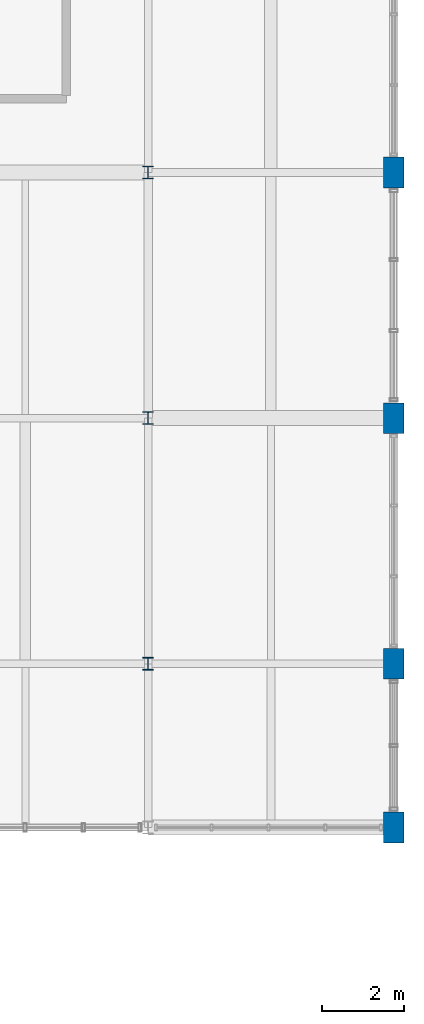
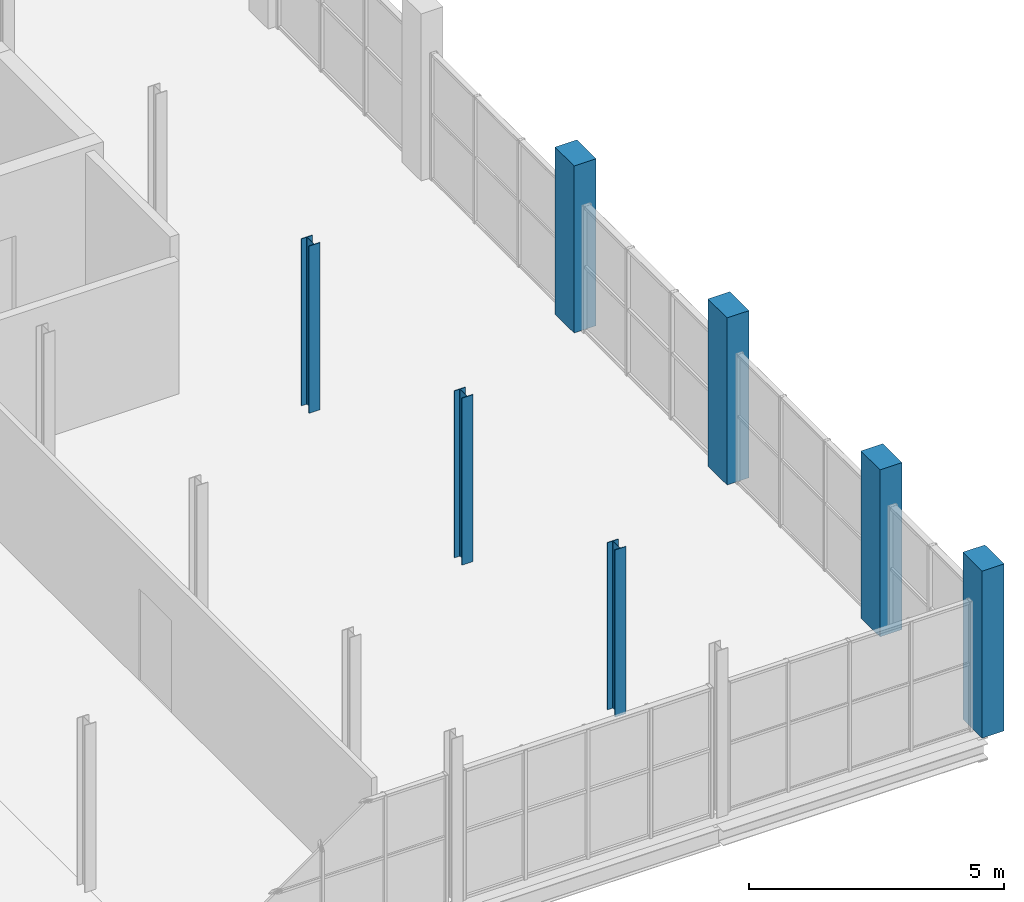
# One storey, part 14 of 96: 7 columns.
"""IFC4 building model written with IfcOpenShell, lengths in metres."""

from ifc_helpers import new_model, si_unit, direction, frame, origin, origin_2d, place, context, subcontext, project, spatial, rectangle, i_section, extrude, material, material_profile, profile_set, type_object, element, save


model = new_model("IFC4")

# Units and contexts
model_context = context("Model", 3, precision=1e-05, world=origin(), true_north=direction((0.0, 1.0)))
body_context = subcontext(model_context, "Body", "Model", "MODEL_VIEW")
ifc_project = project(units=[si_unit("LENGTHUNIT", "METRE"), si_unit("AREAUNIT", "SQUARE_METRE"), si_unit("VOLUMEUNIT", "CUBIC_METRE"), si_unit("PLANEANGLEUNIT", "RADIAN"), si_unit("MASSUNIT", "GRAM", prefix="KILO")], contexts=[model_context])

# Site, building, storey
site_placement = place(None, origin())
site = spatial("IfcSite", under=ifc_project, at=site_placement, CompositionType="ELEMENT")
building_placement = place(site_placement, origin())
building = spatial("IfcBuilding", under=site, at=building_placement, Name="Verrall Gate Interchange", CompositionType="ELEMENT")
storey_placement = place(building_placement, frame((0.0, 0.0, 11.39990234375)))
storey = spatial("IfcBuildingStorey", under=building, at=storey_placement, Name="L03", CompositionType="ELEMENT", Elevation=11.39990234375)

# Columns
ifc_material_1 = material(Name="Concrete CSA A23.1 40 MPa (Class C-1)", Category="concrete")
ifc_material_profile_1 = material_profile(ifc_material_1, rectangle(XDim=0.5, YDim=0.75, at=origin_2d()), Name="RC500x750")
ifc_profile_set_1 = profile_set([ifc_material_profile_1], Name="Concrete CSA A23.1 40 MPa (Class C-1)")
column_type_1 = type_object("IfcColumnType", Name="C-05 Pilaster RC500x750", PredefinedType="PILASTER", material=ifc_profile_set_1)
for number, where, z_axis, x_axis, name in (
    (1, (168.0, 12.0, 0.0), (0.0, 0.0, 1.0), (1.0, 0.0, 0.0), "L03 Column COL-L03-1472 (C-05)"),
    (2, (168.0, 16.0, 0.0), (0.0, 0.0, 1.0), (1.0, 0.0, 0.0), "L03 Column COL-L03-1477 (C-05)"),
    (3, (168.0, 22.0, 0.0), (0.0, 0.0, 1.0), (1.0, 0.0, 0.0), "L03 Column COL-L03-1482 (C-05)"),
    (4, (168.0, 28.0, 0.0), (0.0, 0.0, 1.0), (1.0, 0.0, 0.0), "L03 Column COL-L03-1487 (C-05)"),
):
    element("IfcColumn", number, at=place(storey_placement, frame(where, z_axis=z_axis, x_axis=x_axis)), inside=storey, type_object=column_type_1, Name=name, PredefinedType="PILASTER", context=body_context, shape_type="SweptSolid", body=[
        extrude(rectangle(XDim=0.5, YDim=0.75, at=origin_2d()), origin(), (0.0, 0.0, 1.0), 4.0),
    ])
ifc_material_2 = material(Name="Structural Steel CSA G40.21 350W", Category="steel")
ifc_material_profile_2 = material_profile(ifc_material_2, i_section(OverallWidth=0.25390625, OverallDepth=0.305908203125, WebThickness=0.0087890625, FlangeThickness=0.0146484375, FilletRadius=0.012939453125, at=origin_2d()), Name="W310x79")
ifc_profile_set_2 = profile_set([ifc_material_profile_2], Name="Structural Steel CSA G40.21 350W")
column_type_2 = type_object("IfcColumnType", Name="C-10 Column W310x79", PredefinedType="COLUMN", material=ifc_profile_set_2)
for number, where, z_axis, x_axis, name in (
    (5, (162.0, 16.0, 0.0), (0.0, 0.0, 1.0), (1.0, 0.0, 0.0), "L03 Column COL-L03-1434 (C-10)"),
    (6, (162.0, 22.0, 0.0), (0.0, 0.0, 1.0), (1.0, 0.0, 0.0), "L03 Column COL-L03-1439 (C-10)"),
    (7, (162.0, 28.0, 0.0), (0.0, 0.0, 1.0), (1.0, 0.0, 0.0), "L03 Column COL-L03-1444 (C-10)"),
):
    element("IfcColumn", number, at=place(storey_placement, frame(where, z_axis=z_axis, x_axis=x_axis)), inside=storey, type_object=column_type_2, Name=name, PredefinedType="COLUMN", context=body_context, shape_type="SweptSolid", body=[
        extrude(i_section(OverallWidth=0.25390625, OverallDepth=0.305908203125, WebThickness=0.0087890625, FlangeThickness=0.0146484375, FilletRadius=0.012939453125, at=origin_2d()), origin(), (0.0, 0.0, 1.0), 4.0),
    ])

save(model, "model.ifc")
